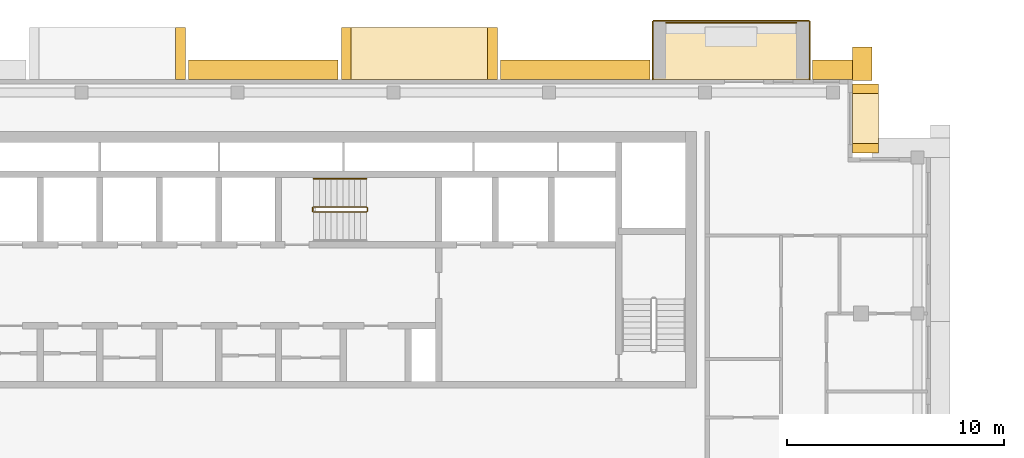
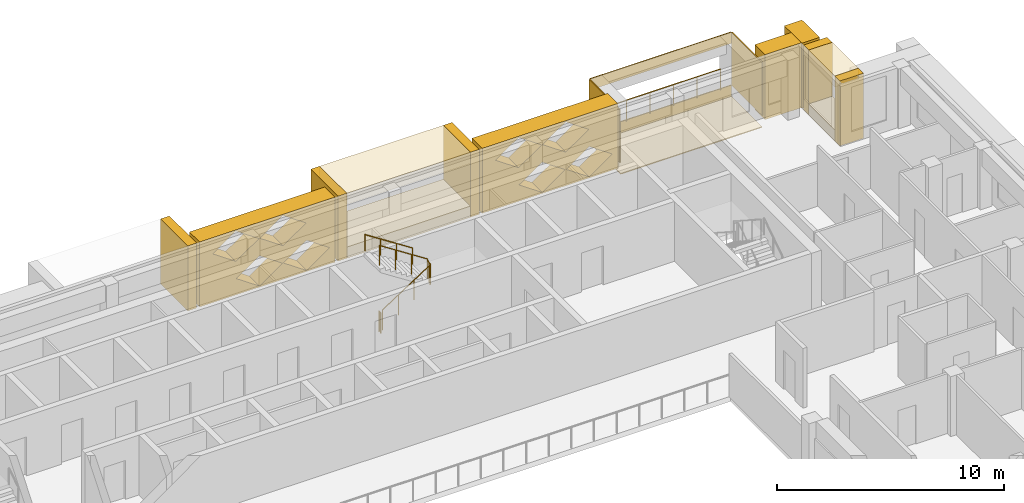
# One storey, part 17 of 18: 18 coverings, 4 railings.
"""IFC4 building model written with IfcOpenShell, lengths in metres."""

from ifc_helpers import new_model, si_unit, direction, frame, origin, origin_2d, place, context, subcontext, project, spatial, polyline, circle, outline, extrude, material, layer, layer_set, type_object, element, save


model = new_model("IFC4")

# Units and contexts
model_context = context("Model", 3, precision=1e-05, world=origin(), true_north=direction((0.0, 1.0)))
body_context = subcontext(model_context, "Body", "Model", "MODEL_VIEW")
ifc_project = project(units=[si_unit("LENGTHUNIT", "METRE"), si_unit("AREAUNIT", "SQUARE_METRE"), si_unit("VOLUMEUNIT", "CUBIC_METRE"), si_unit("PLANEANGLEUNIT", "RADIAN"), si_unit("MASSUNIT", "GRAM", prefix="KILO")], contexts=[model_context])

# Site, building, storey
site_placement = place(None, origin())
site = spatial("IfcSite", under=ifc_project, at=site_placement, CompositionType="ELEMENT")
building_placement = place(site_placement, origin())
building = spatial("IfcBuilding", under=site, at=building_placement, Name="Saffron Iwan Residences", CompositionType="ELEMENT")
storey_placement = place(building_placement, frame((0.0, 0.0, 257.0)))
storey = spatial("IfcBuildingStorey", under=building, at=storey_placement, Name="L69", CompositionType="ELEMENT", Elevation=257.0)

# Railing
ifc_material_1 = material(Name="Stainless steel 316", Category="steel")
railing_type_1 = type_object("IfcRailingType", Name="BALCONY GUARD 1150", PredefinedType="GUARDRAIL", material=ifc_material_1)
railing_1_placement = place(storey_placement, frame((76.199951171875, 83.02490234375, 0.0)))
element("IfcRailing", 1, at=railing_1_placement, inside=storey, type_object=railing_type_1, Name="Balcony guard L69 F5-0", PredefinedType="GUARDRAIL", context=body_context, shape_type="SweptSolid", body=[
    extrude(circle(Radius=0.02392578125, at=origin_2d()), frame((0.0, 0.0, 1.1259765625), z_axis=(-1.0, 0.0, 0.0), x_axis=(0.0, -1.0, 0.0)), (0.0, 0.0, 1.0), 6.0),
    extrude(circle(Radius=0.02099609375, at=origin_2d()), origin(), (0.0, 0.0, 1.0), 1.101806640625),
    extrude(circle(Radius=0.02099609375, at=origin_2d()), frame((-1.199951171875, 0.0, 0.0)), (0.0, 0.0, 1.0), 1.101806640625),
    extrude(circle(Radius=0.02099609375, at=origin_2d()), frame((-2.39990234375, 0.0, 0.0)), (0.0, 0.0, 1.0), 1.101806640625),
    extrude(circle(Radius=0.02099609375, at=origin_2d()), frame((-3.60009765625, 0.0, 0.0)), (0.0, 0.0, 1.0), 1.101806640625),
    extrude(circle(Radius=0.02099609375, at=origin_2d()), frame((-4.800048828125, 0.0, 0.0)), (0.0, 0.0, 1.0), 1.101806640625),
    extrude(circle(Radius=0.02099609375, at=origin_2d()), frame((-6.0, 0.0, 0.0)), (0.0, 0.0, 1.0), 1.101806640625),
])

# Coverings
ifc_material_2 = material(Name="Precast concrete C40/50 white painted", Category="concrete")
ifc_layer = layer(ifc_material_2, 0.050048828125)
ifc_layer_set = layer_set([ifc_layer], Name="Precast concrete C40/50 white painted")
covering_type_1 = type_object("IfcCoveringType", Name="FRAME SKIN PRECAST WHITE 50", PredefinedType="CLADDING", material=ifc_layer_set)
for number, where, name in (
    (2, (0.0, 0.0, -0.60009765625), "Frame skin slab edge L69 F5-0"),
    (3, (0.0, 0.0, 2.25), "Frame skin fascia L69 F5-0"),
):
    element("IfcCovering", number, at=place(storey_placement, frame(where)), inside=storey, type_object=covering_type_1, Name=name, PredefinedType="CLADDING", context=body_context, shape_type="SweptSolid", body=[
        extrude(outline(polyline([(76.800048828125, 83.14990234375), (69.60009765625, 83.14990234375), (69.60009765625, 83.10009765625), (76.800048828125, 83.10009765625), (76.800048828125, 83.14990234375)])), origin(), (0.0, 0.0, 1.0), 0.60009765625),
    ])
covering_1_placement = place(storey_placement, frame((0.0, 0.0, -0.64990234375)))
element("IfcCovering", 4, at=covering_1_placement, inside=storey, type_object=covering_type_1, Name="Frame skin soffit L69 F5-0", PredefinedType="CLADDING", context=body_context, shape_type="SweptSolid", body=[
    extrude(outline(polyline([(76.800048828125, 83.10009765625), (69.60009765625, 83.10009765625), (69.60009765625, 80.39990234375), (76.800048828125, 80.39990234375), (76.800048828125, 83.10009765625)])), origin(), (0.0, 0.0, 1.0), 0.0498046875),
])
covering_2_placement = place(storey_placement, origin())
element("IfcCovering", 5, at=covering_2_placement, inside=storey, type_object=covering_type_1, Name="Frame skin fin L69 F5-0a", PredefinedType="CLADDING", context=body_context, shape_type="SweptSolid", body=[
    extrude(outline(polyline([(76.85009765625, 83.10009765625), (76.800048828125, 83.10009765625), (76.800048828125, 80.39990234375), (76.85009765625, 80.39990234375), (76.85009765625, 83.10009765625)])), origin(), (0.0, 0.0, 1.0), 2.85009765625),
])
covering_3_placement = place(storey_placement, origin())
element("IfcCovering", 6, at=covering_3_placement, inside=storey, type_object=covering_type_1, Name="Frame skin fin L69 F5-0b", PredefinedType="CLADDING", context=body_context, shape_type="SweptSolid", body=[
    extrude(outline(polyline([(69.60009765625, 83.10009765625), (69.550048828125, 83.10009765625), (69.550048828125, 80.39990234375), (69.60009765625, 80.39990234375), (69.60009765625, 83.10009765625)])), origin(), (0.0, 0.0, 1.0), 2.85009765625),
])
ifc_material_3 = material(Name="Precast concrete C40/50", Category="concrete")
covering_type_2 = type_object("IfcCoveringType", Name="OUTER SKIN LATTICE SCREEN", PredefinedType="CLADDING", material=ifc_material_3)
covering_4_placement = place(storey_placement, frame((78.800048828125, 80.35009765625, -0.280029296875), z_axis=(1.0, 0.0, 0.0), x_axis=(0.0, 1.0, 0.0)))
element("IfcCovering", 7, at=covering_4_placement, inside=storey, type_object=covering_type_2, Name="OUTER SKIN lattice screen L69 F4.0", PredefinedType="CLADDING", context=body_context, shape_type="SweptSolid", body=[
    extrude(outline(polyline([(0.0, 0.0), (1.550048828125, 0.0), (1.550048828125, 3.5), (0.0, 3.5), (0.0, 0.0)])), origin(), (0.0, 0.0, 1.0), 0.89990234375),
])
covering_5_placement = place(storey_placement, frame((79.699951171875, 80.39990234375, -0.280029296875), z_axis=(0.0, 1.0, 0.0), x_axis=(-1.0, 0.0, 0.0)))
element("IfcCovering", 8, at=covering_5_placement, inside=storey, type_object=covering_type_2, Name="OUTER SKIN lattice screen L69 F5.0", PredefinedType="CLADDING", context=body_context, shape_type="SweptSolid", body=[
    extrude(outline(polyline([(0.0, 0.0), (2.75, 0.0), (2.75, 3.5), (0.0, 3.5), (0.0, 0.0)])), origin(), (0.0, 0.0, 1.0), 0.900146484375),
])
for number, where, z_axis, x_axis, name in (
    (9, (69.449951171875, 80.39990234375, -0.280029296875), (0.0, 1.0, 0.0), (-1.0, 0.0, 0.0), "OUTER SKIN lattice screen L69 F5.1"),
    (10, (55.050048828125, 80.39990234375, -0.280029296875), (0.0, 1.0, 0.0), (-1.0, 0.0, 0.0), "OUTER SKIN lattice screen L69 F5.2"),
):
    element("IfcCovering", number, at=place(storey_placement, frame(where, z_axis=z_axis, x_axis=x_axis)), inside=storey, type_object=covering_type_2, Name=name, PredefinedType="CLADDING", context=body_context, shape_type="SweptSolid", body=[
        extrude(outline(polyline([(0.0, 0.0), (6.89990234375, 0.0), (6.89990234375, 3.5), (0.0, 3.5), (0.0, 0.0)]), holes=[polyline([(0.27001953125, 0.875), (1.449951171875, 0.06005859375), (2.6298828125, 0.875), (1.449951171875, 1.68994140625), (0.27001953125, 0.875)]), polyline([(2.669921875, 0.875), (3.85009765625, 0.06005859375), (5.030029296875, 0.875), (3.85009765625, 1.68994140625), (2.669921875, 0.875)]), polyline([(1.469970703125, 2.625), (2.64990234375, 1.81005859375), (3.830078125, 2.625), (2.64990234375, 3.43994140625), (1.469970703125, 2.625)]), polyline([(3.8701171875, 2.625), (5.050048828125, 1.81005859375), (6.22998046875, 2.625), (5.050048828125, 3.43994140625), (3.8701171875, 2.625)])]), origin(), (0.0, 0.0, 1.0), 0.900146484375),
    ])

# Railings
ifc_material_4 = material(Name="Steel S355", Category="steel")
railing_type_2 = type_object("IfcRailingType", Name="Stair guard 1100", PredefinedType="GUARDRAIL", material=ifc_material_4)
railing_2_placement = place(storey_placement, frame((53.925048828125, 74.27490234375, 0.175048828125)))
element("IfcRailing", 11, at=railing_2_placement, inside=storey, type_object=railing_type_2, Name="L69 ST-C stair guard 1", PredefinedType="GUARDRAIL", context=body_context, shape_type="SweptSolid", body=[
    extrude(circle(Radius=0.02392578125, at=origin_2d()), frame((0.0, 0.0, 1.076171875), z_axis=(0.839153699163, 0.0, 0.543894354798), x_axis=(0.0, 1.0, 0.0)), (0.0, 0.0, 1.0), 2.895751953125),
    extrude(circle(Radius=0.02392578125, at=origin_2d()), frame((2.429931640625, 0.0, 2.65087890625), z_axis=(0.707106781187, 0.707106781187, 0.0), x_axis=(-0.707106781187, 0.707106781187, 0.0)), (0.0, 0.0, 1.0), 0.07080078125),
    extrude(circle(Radius=0.02392578125, at=origin_2d()), frame((2.47998046875, 0.050048828125, 2.65087890625), z_axis=(0.0, 1.0, 0.0), x_axis=(-1.0, 0.0, 0.0)), (0.0, 0.0, 1.0), 0.150146484375),
    extrude(circle(Radius=0.02392578125, at=origin_2d()), frame((2.47998046875, 0.2001953125, 2.65087890625), z_axis=(-0.265155923931, 0.263862480399, 0.927399011991), x_axis=(-0.705375805398, -0.708833529934, 0.0)), (0.0, 0.0, 1.0), 0.188720703125),
    extrude(circle(Radius=0.02392578125, at=origin_2d()), frame((2.429931640625, 0.25, 2.826171875), z_axis=(-0.839153699163, 0.0, 0.543894354798), x_axis=(0.0, -1.0, 0.0)), (0.0, 0.0, 1.0), 2.895751953125),
    extrude(circle(Radius=0.02099609375, at=origin_2d()), origin(), (0.0, 0.0, 1.0), 1.052001953125),
    extrude(circle(Radius=0.02099609375, at=origin_2d()), frame((0.81005859375, 0.0, 0.52490234375)), (0.0, 0.0, 1.0), 1.052001953125),
    extrude(circle(Radius=0.02099609375, at=origin_2d()), frame((1.619873046875, 0.0, 1.050048828125)), (0.0, 0.0, 1.0), 1.052001953125),
    extrude(circle(Radius=0.02099609375, at=origin_2d()), frame((2.429931640625, 0.0, 1.574951171875)), (0.0, 0.0, 1.0), 1.052001953125),
    extrude(circle(Radius=0.02099609375, at=origin_2d()), frame((2.47998046875, 0.050048828125, 1.574951171875)), (0.0, 0.0, 1.0), 1.052001953125),
    extrude(circle(Radius=0.02099609375, at=origin_2d()), frame((2.47998046875, 0.2001953125, 1.574951171875)), (0.0, 0.0, 1.0), 1.052001953125),
    extrude(circle(Radius=0.02099609375, at=origin_2d()), frame((2.429931640625, 0.25, 1.75)), (0.0, 0.0, 1.0), 1.052001953125),
    extrude(circle(Radius=0.02099609375, at=origin_2d()), frame((1.619873046875, 0.25, 2.27490234375)), (0.0, 0.0, 1.0), 1.052001953125),
    extrude(circle(Radius=0.02099609375, at=origin_2d()), frame((0.81005859375, 0.25, 2.800048828125)), (0.0, 0.0, 1.0), 1.052001953125),
    extrude(circle(Radius=0.02099609375, at=origin_2d()), frame((0.0, 0.25, 3.324951171875)), (0.0, 0.0, 1.0), 1.052001953125),
])
railing_3_placement = place(storey_placement, frame((53.875, 74.324951171875, 0.0)))
element("IfcRailing", 12, at=railing_3_placement, inside=storey, type_object=railing_type_2, Name="L69 ST-C stair guard 2", PredefinedType="GUARDRAIL", context=body_context, shape_type="SweptSolid", body=[
    extrude(circle(Radius=0.02392578125, at=origin_2d()), frame((0.0, 0.0, 1.076171875), z_axis=(0.0, 1.0, 0.0), x_axis=(-1.0, 0.0, 0.0)), (0.0, 0.0, 1.0), 0.150146484375),
    extrude(circle(Radius=0.02099609375, at=origin_2d()), origin(), (0.0, 0.0, 1.0), 1.052001953125),
    extrude(circle(Radius=0.02099609375, at=origin_2d()), frame((0.0, 0.150146484375, 0.0)), (0.0, 0.0, 1.0), 1.052001953125),
])
railing_type_3 = type_object("IfcRailingType", Name="Stair handrail 900", PredefinedType="HANDRAIL", material=ifc_material_1)
railing_4_placement = place(storey_placement, frame((56.35498046875, 75.824951171875, 1.925048828125)))
element("IfcRailing", 13, at=railing_4_placement, inside=storey, type_object=railing_type_3, Name="L69 ST-C stair handrail 2", PredefinedType="HANDRAIL", context=body_context, shape_type="SweptSolid", body=[
    extrude(circle(Radius=0.02392578125, at=origin_2d()), frame((0.0, 0.0, 0.8759765625), z_axis=(-0.839153699163, 0.0, 0.543894354798), x_axis=(0.0, -1.0, 0.0)), (0.0, 0.0, 1.0), 2.895751953125),
    extrude(circle(Radius=0.02099609375, at=origin_2d()), origin(), (0.0, 0.0, 1.0), 0.851806640625),
    extrude(circle(Radius=0.02099609375, at=origin_2d()), frame((-0.81005859375, 0.0, 0.52490234375)), (0.0, 0.0, 1.0), 0.851806640625),
    extrude(circle(Radius=0.02099609375, at=origin_2d()), frame((-1.619873046875, 0.0, 1.050048828125)), (0.0, 0.0, 1.0), 0.851806640625),
    extrude(circle(Radius=0.02099609375, at=origin_2d()), frame((-2.429931640625, 0.0, 1.574951171875)), (0.0, 0.0, 1.0), 0.851806640625),
])

# Coverings
covering_type_3 = type_object("IfcCoveringType", Name="WHITE SUN FRAME PRECAST", PredefinedType="CLADDING", material=ifc_material_2)
for number, where, z_axis, x_axis, name in (
    (14, (78.800048828125, 77.0, -0.280029296875), (1.0, 0.0, 0.0), (0.0, 1.0, 0.0), "Sun frame L69 F4 0.2a"),
    (15, (78.800048828125, 79.75, -0.280029296875), (1.0, 0.0, 0.0), (0.0, 1.0, 0.0), "Sun frame L69 F4 0.2b"),
):
    element("IfcCovering", number, at=place(storey_placement, frame(where, z_axis=z_axis, x_axis=x_axis)), inside=storey, type_object=covering_type_3, Name=name, PredefinedType="CLADDING", context=body_context, shape_type="SweptSolid", body=[
        extrude(outline(polyline([(0.0, 0.0), (0.449951171875, 0.0), (0.449951171875, 3.5), (0.0, 3.5), (0.0, 0.0)])), origin(), (0.0, 0.0, 1.0), 1.199951171875),
    ])
for number, where, z_axis, x_axis, name in (
    (16, (78.800048828125, 77.449951171875, 2.6201171875), (1.0, 0.0, 0.0), (0.0, 1.0, 0.0), "Sun frame L69 F4 0.2h"),
    (17, (78.800048828125, 77.449951171875, -0.280029296875), (1.0, 0.0, 0.0), (0.0, 1.0, 0.0), "Sun frame L69 F4 0.2s"),
):
    element("IfcCovering", number, at=place(storey_placement, frame(where, z_axis=z_axis, x_axis=x_axis)), inside=storey, type_object=covering_type_3, Name=name, PredefinedType="CLADDING", context=body_context, shape_type="SweptSolid", body=[
        extrude(outline(polyline([(0.0, 0.0), (2.300048828125, 0.0), (2.300048828125, 0.60009765625), (0.0, 0.60009765625), (0.0, 0.0)])), origin(), (0.0, 0.0, 1.0), 1.199951171875),
    ])
for number, where, z_axis, x_axis, name in (
    (18, (62.39990234375, 80.39990234375, -0.280029296875), (0.0, 1.0, 0.0), (-1.0, 0.0, 0.0), "Sun frame L69 F5 16.4a"),
    (19, (55.64990234375, 80.39990234375, -0.280029296875), (0.0, 1.0, 0.0), (-1.0, 0.0, 0.0), "Sun frame L69 F5 16.4b"),
):
    element("IfcCovering", number, at=place(storey_placement, frame(where, z_axis=z_axis, x_axis=x_axis)), inside=storey, type_object=covering_type_3, Name=name, PredefinedType="CLADDING", context=body_context, shape_type="SweptSolid", body=[
        extrude(outline(polyline([(0.0, 0.0), (0.449951171875, 0.0), (0.449951171875, 3.5), (0.0, 3.5), (0.0, 0.0)])), origin(), (0.0, 0.0, 1.0), 2.400146484375),
    ])
for number, where, z_axis, x_axis, name in (
    (20, (61.949951171875, 80.39990234375, 2.6201171875), (0.0, 1.0, 0.0), (-1.0, 0.0, 0.0), "Sun frame L69 F5 16.4h"),
    (21, (61.949951171875, 80.39990234375, -0.280029296875), (0.0, 1.0, 0.0), (-1.0, 0.0, 0.0), "Sun frame L69 F5 16.4s"),
):
    element("IfcCovering", number, at=place(storey_placement, frame(where, z_axis=z_axis, x_axis=x_axis)), inside=storey, type_object=covering_type_3, Name=name, PredefinedType="CLADDING", context=body_context, shape_type="SweptSolid", body=[
        extrude(outline(polyline([(0.0, 0.0), (6.300048828125, 0.0), (6.300048828125, 0.60009765625), (0.0, 0.60009765625), (0.0, 0.0)])), origin(), (0.0, 0.0, 1.0), 2.400146484375),
    ])
covering_6_placement = place(storey_placement, frame((48.0, 80.39990234375, -0.280029296875), z_axis=(0.0, 1.0, 0.0), x_axis=(-1.0, 0.0, 0.0)))
element("IfcCovering", 22, at=covering_6_placement, inside=storey, type_object=covering_type_3, Name="Sun frame L69 F5 30.8a", PredefinedType="CLADDING", context=body_context, shape_type="SweptSolid", body=[
    extrude(outline(polyline([(0.0, 0.0), (0.449951171875, 0.0), (0.449951171875, 3.5), (0.0, 3.5), (0.0, 0.0)])), origin(), (0.0, 0.0, 1.0), 2.400146484375),
])

save(model, "model.ifc")
